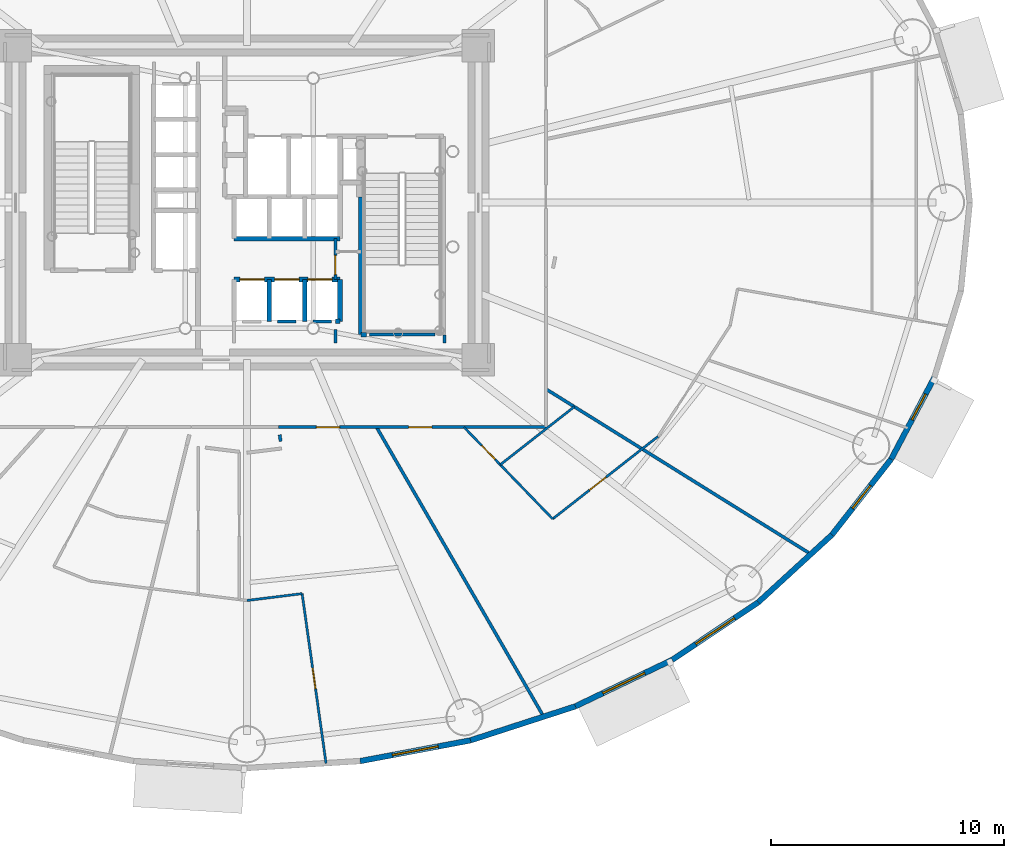
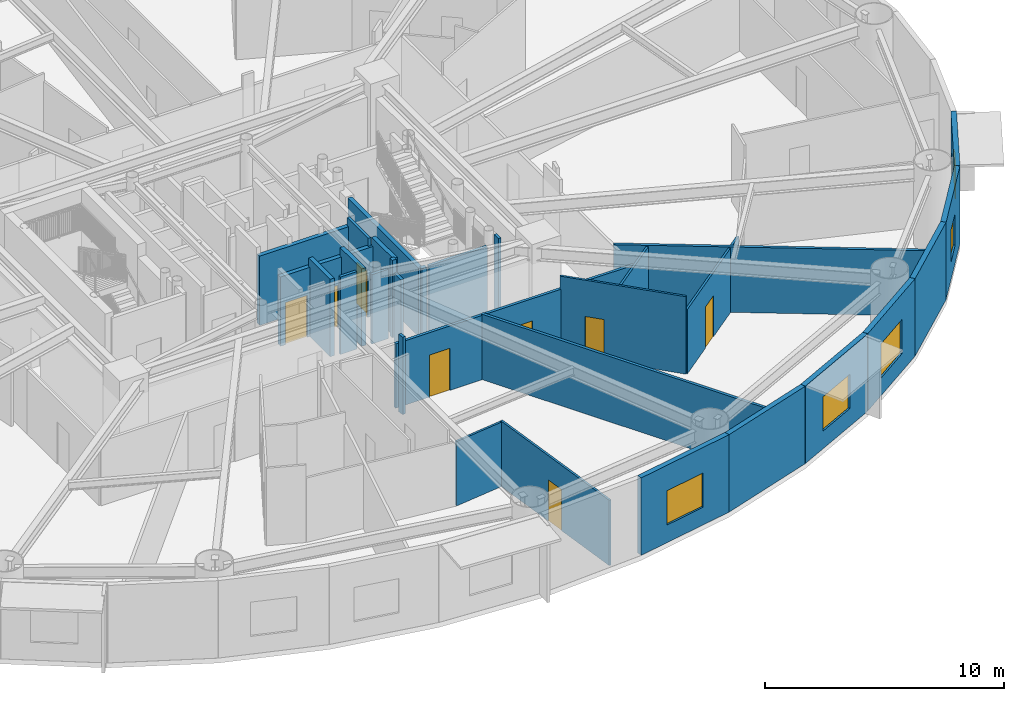
# One storey, part 10 of 21: 30 walls, 9 doors, 5 windows, 14 openings.
"""IFC4 building model written with IfcOpenShell, lengths in metres."""

from ifc_helpers import new_model, si_unit, direction, frame, frame_2d, origin, origin_2d, place, context, subcontext, project, spatial, rectangle, extrude, source, transform, mapped, material, layer, layer_set, type_object, element, fill, save


model = new_model("IFC4")

# Units and contexts
model_context = context("Model", 3, precision=1e-05, world=origin(), true_north=direction((0.0, 1.0)))
body_context = subcontext(model_context, "Body", "Model", "MODEL_VIEW")
ifc_project = project(units=[si_unit("LENGTHUNIT", "METRE"), si_unit("AREAUNIT", "SQUARE_METRE"), si_unit("VOLUMEUNIT", "CUBIC_METRE"), si_unit("PLANEANGLEUNIT", "RADIAN"), si_unit("MASSUNIT", "GRAM", prefix="KILO")], contexts=[model_context])

# Site, building, storey
site_placement = place(None, origin())
site = spatial("IfcSite", under=ifc_project, at=site_placement, CompositionType="ELEMENT")
building_placement = place(site_placement, origin())
building = spatial("IfcBuilding", under=site, at=building_placement, Name="Linh Dai School and Residence Tower", CompositionType="ELEMENT")
storey_placement = place(building_placement, frame((0.0, 0.0, 61.800048828125)))
storey = spatial("IfcBuildingStorey", under=building, at=storey_placement, Name="L14", CompositionType="ELEMENT", Elevation=61.800048828125)

# Wall, opening, window
ifc_material_1 = material(Name="Precast Concrete B45 (C35/45)", Category="concrete")
ifc_layer_1 = layer(ifc_material_1, 0.239990234375)
ifc_layer_set_1 = layer_set([ifc_layer_1], Name="Precast Concrete B45 (C35/45)")
wall_type_1 = type_object("IfcWallType", Name="EW-TC-240", PredefinedType="SOLIDWALL", material=ifc_layer_set_1)
wall_1_placement = place(storey_placement, frame((45.610595703125, 3.88671875, 0.0), z_axis=(0.0, 0.0, 1.0), x_axis=(-0.982791952378, -0.184715939598, 0.0)))
wall_1 = element("IfcWall", 1, at=wall_1_placement, inside=storey, type_object=wall_type_1, Name="L14 Terracotta Exterior Wall 32", PredefinedType="SOLIDWALL", context=body_context, shape_type="SweptSolid", body=[
    extrude(rectangle(XDim=4.828125, YDim=0.239990234375, at=frame_2d((2.4140625, 0.0))), origin(), (0.0, 0.0, 1.0), 3.949951171875),
])
opening_1_placement = place(wall_1_placement, frame((1.414306640625, 0.0, 0.89990234375)))
opening_1 = element("IfcOpeningElement", 2, at=opening_1_placement, cuts=wall_1, Name="Opening W1", PredefinedType="OPENING", context=body_context, shape_type="SweptSolid", body=[
    extrude(rectangle(XDim=2.0, YDim=1.75, at=origin_2d()), frame((1.0, 0.1298828125, 0.875), z_axis=(0.0, -1.0, 0.0), x_axis=(1.0, 0.0, 0.0)), (0.0, 0.0, 1.0), 0.260009765625),
])
ifc_material_2 = material(Name="Double Low-E Insulated Glazing", Category="glass")
window_type_1 = type_object("IfcWindowType", Name="WN-RES-2000x1750", PartitioningType="DOUBLE_PANEL_VERTICAL", PredefinedType="WINDOW", material=ifc_material_2)
shared_shape_1 = source(origin(), body_context, "Body", "SweptSolid", [
    extrude(rectangle(XDim=2.0, YDim=1.75, at=origin_2d()), frame((1.0, 0.030029296875, 0.875), z_axis=(0.0, -1.0, 0.0), x_axis=(1.0, 0.0, 0.0)), (0.0, 0.0, 1.0), 0.06005859375),
])
window_1_placement = place(opening_1_placement, origin())
window_1 = element("IfcWindow", 3, at=window_1_placement, inside=storey, type_object=window_type_1, Name="L14 Exterior Window 32.1", OverallHeight=1.75, OverallWidth=2.0, PartitioningType="DOUBLE_PANEL_VERTICAL", PredefinedType="WINDOW", context=body_context, shape_type="MappedRepresentation", body=[
    mapped(shared_shape_1, transform((0.0, 0.0, 0.0), x_axis=(1.0, 0.0, 0.0), y_axis=(0.0, 1.0, 0.0), z_axis=(0.0, 0.0, 1.0), scale=1.0)),
])
fill(opening_1, window_1)

# Wall
wall_2_placement = place(storey_placement, frame((50.1181640625, 5.348876953125, 0.0), z_axis=(0.0, 0.0, 1.0), x_axis=(-0.951207699013, -0.308551313946, 0.0)))
element("IfcWall", 4, at=wall_2_placement, inside=storey, type_object=wall_type_1, Name="L14 Terracotta Exterior Wall 33", PredefinedType="SOLIDWALL", context=body_context, shape_type="SweptSolid", body=[
    extrude(rectangle(XDim=4.73876953125, YDim=0.239990234375, at=frame_2d((2.369384765625, 0.0))), origin(), (0.0, 0.0, 1.0), 3.949951171875),
])

# Wall, opening, window
wall_3_placement = place(storey_placement, frame((54.277099609375, 7.34423828125, 0.0), z_axis=(0.0, 0.0, 1.0), x_axis=(-0.901601503137, -0.432567601123, 0.0)))
wall_3 = element("IfcWall", 5, at=wall_3_placement, inside=storey, type_object=wall_type_1, Name="L14 Terracotta Exterior Wall 34", PredefinedType="SOLIDWALL", context=body_context, shape_type="SweptSolid", body=[
    extrude(rectangle(XDim=4.61279296875, YDim=0.239990234375, at=frame_2d((2.306396484375, 0.0))), origin(), (0.0, 0.0, 1.0), 3.949951171875),
])
opening_2_placement = place(wall_3_placement, frame((1.306640625, 0.0, 0.89990234375)))
opening_2 = element("IfcOpeningElement", 6, at=opening_2_placement, cuts=wall_3, Name="Opening W1", PredefinedType="OPENING", context=body_context, shape_type="SweptSolid", body=[
    extrude(rectangle(XDim=2.0, YDim=1.75, at=origin_2d()), frame((1.0, 0.1298828125, 0.875), z_axis=(0.0, -1.0, 0.0), x_axis=(1.0, 0.0, 0.0)), (0.0, 0.0, 1.0), 0.260009765625),
])
window_2_placement = place(opening_2_placement, origin())
window_2 = element("IfcWindow", 7, at=window_2_placement, inside=storey, type_object=window_type_1, Name="L14 Exterior Window 34.1", OverallHeight=1.75, OverallWidth=2.0, PartitioningType="DOUBLE_PANEL_VERTICAL", PredefinedType="WINDOW", context=body_context, shape_type="MappedRepresentation", body=[
    mapped(shared_shape_1, transform((0.0, 0.0, 0.0), x_axis=(1.0, 0.0, 0.0), y_axis=(0.0, 1.0, 0.0), z_axis=(0.0, 0.0, 1.0), scale=1.0)),
])
fill(opening_2, window_2)

wall_4_placement = place(storey_placement, frame((57.984619140625, 9.82373046875, 0.0), z_axis=(0.0, 0.0, 1.0), x_axis=(-0.831240982525, -0.555912249343, 0.0)))
wall_4 = element("IfcWall", 8, at=wall_4_placement, inside=storey, type_object=wall_type_1, Name="L14 Terracotta Exterior Wall 35", PredefinedType="SOLIDWALL", context=body_context, shape_type="SweptSolid", body=[
    extrude(rectangle(XDim=4.460205078125, YDim=0.239990234375, at=frame_2d((2.22998046875, 0.0))), origin(), (0.0, 0.0, 1.0), 3.949951171875),
])
opening_3_placement = place(wall_4_placement, frame((1.230224609375, 0.0, 0.89990234375)))
opening_3 = element("IfcOpeningElement", 9, at=opening_3_placement, cuts=wall_4, Name="Opening W1", PredefinedType="OPENING", context=body_context, shape_type="SweptSolid", body=[
    extrude(rectangle(XDim=2.0, YDim=1.75, at=origin_2d()), frame((1.0, 0.1298828125, 0.875), z_axis=(0.0, -1.0, 0.0), x_axis=(1.0, 0.0, 0.0)), (0.0, 0.0, 1.0), 0.260009765625),
])
window_3_placement = place(opening_3_placement, origin())
window_3 = element("IfcWindow", 10, at=window_3_placement, inside=storey, type_object=window_type_1, Name="L14 Exterior Window 35.1", OverallHeight=1.75, OverallWidth=2.0, PartitioningType="DOUBLE_PANEL_VERTICAL", PredefinedType="WINDOW", context=body_context, shape_type="MappedRepresentation", body=[
    mapped(shared_shape_1, transform((0.0, 0.0, 0.0), x_axis=(1.0, 0.0, 0.0), y_axis=(0.0, 1.0, 0.0), z_axis=(0.0, 0.0, 1.0), scale=1.0)),
])
fill(opening_3, window_3)

# Wall
wall_5_placement = place(storey_placement, frame((61.149658203125, 12.725341796875, 0.0), z_axis=(0.0, 0.0, 1.0), x_axis=(-0.737116376281, -0.67576582321, 0.0)))
element("IfcWall", 11, at=wall_5_placement, inside=storey, type_object=wall_type_1, Name="L14 Terracotta Exterior Wall 36", PredefinedType="SOLIDWALL", context=body_context, shape_type="SweptSolid", body=[
    extrude(rectangle(XDim=4.293701171875, YDim=0.239990234375, at=frame_2d((2.14697265625, 0.0))), origin(), (0.0, 0.0, 1.0), 3.949951171875),
])

# Wall, opening, window
wall_6_placement = place(storey_placement, frame((63.694580078125, 15.977294921875, 0.0), z_axis=(0.0, 0.0, 1.0), x_axis=(-0.616295508253, -0.787514981767, 0.0)))
wall_6 = element("IfcWall", 12, at=wall_6_placement, inside=storey, type_object=wall_type_1, Name="L14 Terracotta Exterior Wall 37", PredefinedType="SOLIDWALL", context=body_context, shape_type="SweptSolid", body=[
    extrude(rectangle(XDim=4.12939453125, YDim=0.239990234375, at=frame_2d((2.064697265625, 0.0))), origin(), (0.0, 0.0, 1.0), 3.949951171875),
])
opening_4_placement = place(wall_6_placement, frame((1.439697265625, 0.0, 0.89990234375)))
opening_4 = element("IfcOpeningElement", 13, at=opening_4_placement, cuts=wall_6, Name="Opening W3", PredefinedType="OPENING", context=body_context, shape_type="SweptSolid", body=[
    extrude(rectangle(XDim=1.25, YDim=1.64990234375, at=origin_2d()), frame((0.625, 0.1298828125, 0.824951171875), z_axis=(0.0, -1.0, 0.0), x_axis=(1.0, 0.0, 0.0)), (0.0, 0.0, 1.0), 0.260009765625),
])
window_type_2 = type_object("IfcWindowType", Name="WN-RES-1250x1650", PartitioningType="SINGLE_PANEL", PredefinedType="WINDOW", material=ifc_material_2)
shared_shape_2 = source(origin(), body_context, "Body", "SweptSolid", [
    extrude(rectangle(XDim=1.25, YDim=1.64990234375, at=origin_2d()), frame((0.625, 0.030029296875, 0.824951171875), z_axis=(0.0, -1.0, 0.0), x_axis=(1.0, 0.0, 0.0)), (0.0, 0.0, 1.0), 0.06005859375),
])
window_4_placement = place(opening_4_placement, origin())
window_4 = element("IfcWindow", 14, at=window_4_placement, inside=storey, type_object=window_type_2, Name="L14 Dwelling Window U1410-BD1", OverallHeight=1.64990234375, OverallWidth=1.25, PartitioningType="SINGLE_PANEL", PredefinedType="WINDOW", context=body_context, shape_type="MappedRepresentation", body=[
    mapped(shared_shape_2, transform((0.0, 0.0, 0.0), x_axis=(1.0, 0.0, 0.0), y_axis=(0.0, 1.0, 0.0), z_axis=(0.0, 0.0, 1.0), scale=1.0)),
])
fill(opening_4, window_4)

wall_7_placement = place(storey_placement, frame((65.5576171875, 19.49853515625, 0.0), z_axis=(0.0, 0.0, 1.0), x_axis=(-0.467662443071, -0.883907144072, 0.0)))
wall_7 = element("IfcWall", 15, at=wall_7_placement, inside=storey, type_object=wall_type_1, Name="L14 Terracotta Exterior Wall 38", PredefinedType="SOLIDWALL", context=body_context, shape_type="SweptSolid", body=[
    extrude(rectangle(XDim=3.983642578125, YDim=0.239990234375, at=frame_2d((1.99169921875, 0.0))), origin(), (0.0, 0.0, 1.0), 3.949951171875),
])
opening_5_placement = place(wall_7_placement, frame((0.8173828125, 0.0, 0.89990234375)))
opening_5 = element("IfcOpeningElement", 16, at=opening_5_placement, cuts=wall_7, Name="Opening W3", PredefinedType="OPENING", context=body_context, shape_type="SweptSolid", body=[
    extrude(rectangle(XDim=1.25, YDim=1.64990234375, at=origin_2d()), frame((0.625, 0.1298828125, 0.824951171875), z_axis=(0.0, -1.0, 0.0), x_axis=(1.0, 0.0, 0.0)), (0.0, 0.0, 1.0), 0.260009765625),
])
window_5_placement = place(opening_5_placement, origin())
window_5 = element("IfcWindow", 17, at=window_5_placement, inside=storey, type_object=window_type_2, Name="L14 Exterior Window 38.1", OverallHeight=1.64990234375, OverallWidth=1.25, PartitioningType="SINGLE_PANEL", PredefinedType="WINDOW", context=body_context, shape_type="MappedRepresentation", body=[
    mapped(shared_shape_2, transform((0.0, 0.0, 0.0), x_axis=(1.0, 0.0, 0.0), y_axis=(0.0, 1.0, 0.0), z_axis=(0.0, 0.0, 1.0), scale=1.0)),
])
fill(opening_5, window_5)

# Wall, openings, doors
ifc_material_3 = material(Name="Autoclaved Aerated Concrete Blockwork", Category="masonry")
ifc_layer_2 = layer(ifc_material_3, 0.135009765625)
ifc_layer_set_2 = layer_set([ifc_layer_2], Name="Autoclaved Aerated Concrete Blockwork")
wall_type_2 = type_object("IfcWallType", Name="IW-CORR-135-EI90", PredefinedType="PARTITIONING", material=ifc_layer_set_2)
wall_8_placement = place(storey_placement, frame((37.362060546875, 17.35009765625, 0.0), z_axis=(0.0, 0.0, 1.0), x_axis=(1.0, 0.0, 0.0)))
wall_8 = element("IfcWall", 18, at=wall_8_placement, inside=storey, type_object=wall_type_2, Name="L14 Interior Partition Wall 063", PredefinedType="PARTITIONING", context=body_context, shape_type="SweptSolid", body=[
    extrude(rectangle(XDim=11.488037109375, YDim=0.135009765625, at=frame_2d((5.744140625, 0.0))), origin(), (0.0, 0.0, 1.0), 3.284912109375),
])
opening_6_placement = place(wall_8_placement, frame((1.624755859375, 0.0, 0.0)))
opening_6 = element("IfcOpeningElement", 19, at=opening_6_placement, cuts=wall_8, Name="Opening D03", PredefinedType="OPENING", context=body_context, shape_type="SweptSolid", body=[
    extrude(rectangle(XDim=1.0, YDim=2.14990234375, at=origin_2d()), frame((0.5, 0.07763671875, 1.074951171875), z_axis=(0.0, -1.0, 0.0), x_axis=(1.0, 0.0, 0.0)), (0.0, 0.0, 1.0), 0.155029296875),
])
opening_7_placement = place(wall_8_placement, frame((5.588623046875, 0.0, 0.0)))
opening_7 = element("IfcOpeningElement", 20, at=opening_7_placement, cuts=wall_8, Name="Opening D03", PredefinedType="OPENING", context=body_context, shape_type="SweptSolid", body=[
    extrude(rectangle(XDim=1.0, YDim=2.14990234375, at=origin_2d()), frame((0.5, 0.07763671875, 1.074951171875), z_axis=(0.0, -1.0, 0.0), x_axis=(1.0, 0.0, 0.0)), (0.0, 0.0, 1.0), 0.155029296875),
])
ifc_material_4 = material(Name="Fire-Rated Solid Timber Entrance Door", Category="wood")
door_type_1 = type_object("IfcDoorType", Name="DR-FLAT-1000x2150-FD60S", OperationType="NOTDEFINED", PredefinedType="DOOR", material=ifc_material_4)
shared_shape_3 = source(origin(), body_context, "Body", "SweptSolid", [
    extrude(rectangle(XDim=1.0, YDim=2.14990234375, at=origin_2d()), frame((0.5, 0.02490234375, 1.074951171875), z_axis=(0.0, -1.0, 0.0), x_axis=(1.0, 0.0, 0.0)), (0.0, 0.0, 1.0), 0.050048828125),
])
door_1_placement = place(opening_6_placement, origin())
door_1 = element("IfcDoor", 21, at=door_1_placement, inside=storey, type_object=door_type_1, Name="L14 U1408 Apartment Entrance Door", OperationType="SINGLE_SWING_RIGHT", OverallHeight=2.14990234375, OverallWidth=1.0, PredefinedType="DOOR", context=body_context, shape_type="MappedRepresentation", body=[
    mapped(shared_shape_3, transform((0.0, 0.0, 0.0), x_axis=(1.0, 0.0, 0.0), y_axis=(0.0, 1.0, 0.0), z_axis=(0.0, 0.0, 1.0), scale=1.0)),
])
fill(opening_6, door_1)
door_2_placement = place(opening_7_placement, origin())
door_2 = element("IfcDoor", 22, at=door_2_placement, inside=storey, type_object=door_type_1, Name="L14 U1409 Apartment Entrance Door", OperationType="SINGLE_SWING_RIGHT", OverallHeight=2.14990234375, OverallWidth=1.0, PredefinedType="DOOR", context=body_context, shape_type="MappedRepresentation", body=[
    mapped(shared_shape_3, transform((0.0, 0.0, 0.0), x_axis=(1.0, 0.0, 0.0), y_axis=(0.0, 1.0, 0.0), z_axis=(0.0, 0.0, 1.0), scale=1.0)),
])
fill(opening_7, door_2)

# Wall, opening, door
wall_9_placement = place(storey_placement, frame((39.800048828125, 23.699951171875, 0.0), z_axis=(0.0, 0.0, 1.0), x_axis=(0.0, 1.0, 0.0)))
wall_9 = element("IfcWall", 23, at=wall_9_placement, inside=storey, type_object=wall_type_2, Name="L14 Interior Partition Wall 070", PredefinedType="PARTITIONING", context=body_context, shape_type="SweptSolid", body=[
    extrude(rectangle(XDim=1.75, YDim=0.135009765625, at=frame_2d((0.875, 0.0))), origin(), (0.0, 0.0, 1.0), 3.949951171875),
])
opening_8_placement = place(wall_9_placement, frame((0.2099609375, 0.0, 0.0)))
opening_8 = element("IfcOpeningElement", 24, at=opening_8_placement, cuts=wall_9, Name="Opening D06", PredefinedType="OPENING", context=body_context, shape_type="SweptSolid", body=[
    extrude(rectangle(XDim=0.820068359375, YDim=2.10009765625, at=origin_2d()), frame((0.41015625, 0.07763671875, 1.050048828125), z_axis=(0.0, -1.0, 0.0), x_axis=(1.0, 0.0, 0.0)), (0.0, 0.0, 1.0), 0.155029296875),
])
ifc_material_5 = material(Name="Moisture-Resistant Timber Bathroom Door", Category="wood")
door_type_2 = type_object("IfcDoorType", Name="DR-WET-820x2100", OperationType="NOTDEFINED", PredefinedType="DOOR", material=ifc_material_5)
shared_shape_4 = source(origin(), body_context, "Body", "SweptSolid", [
    extrude(rectangle(XDim=0.820068359375, YDim=2.10009765625, at=origin_2d()), frame((0.41015625, 0.02490234375, 1.050048828125), z_axis=(0.0, -1.0, 0.0), x_axis=(1.0, 0.0, 0.0)), (0.0, 0.0, 1.0), 0.050048828125),
])
door_3_placement = place(opening_8_placement, origin())
door_3 = element("IfcDoor", 25, at=door_3_placement, inside=storey, type_object=door_type_2, Name="L14 SE Metering Closet Door", OperationType="SINGLE_SWING_RIGHT", OverallHeight=2.10009765625, OverallWidth=0.820068359375, PredefinedType="DOOR", context=body_context, shape_type="MappedRepresentation", body=[
    mapped(shared_shape_4, transform((0.0, 0.0, 0.0), x_axis=(1.0, 0.0, 0.0), y_axis=(0.0, 1.0, 0.0), z_axis=(0.0, 0.0, 1.0), scale=1.0)),
])
fill(opening_8, door_3)

# Walls
wall_10_placement = place(storey_placement, frame((41.571533203125, 17.35009765625, 0.0), z_axis=(0.0, 0.0, 1.0), x_axis=(0.499990052844, -0.866031146701, 0.0)))
element("IfcWall", 26, at=wall_10_placement, inside=storey, type_object=wall_type_2, Name="L14 Interior Partition Wall 078", PredefinedType="PARTITIONING", context=body_context, shape_type="SweptSolid", body=[
    extrude(rectangle(XDim=14.373291015625, YDim=0.135009765625, at=frame_2d((7.1865234375, 0.0))), origin(), (0.0, 0.0, 1.0), 3.3349609375),
])
wall_11_placement = place(storey_placement, frame((48.85009765625, 18.991455078125, 0.0), z_axis=(0.0, 0.0, 1.0), x_axis=(0.848674864049, -0.528914903488, 0.0)))
element("IfcWall", 27, at=wall_11_placement, inside=storey, type_object=wall_type_2, Name="L14 Interior Partition Wall 091", PredefinedType="PARTITIONING", context=body_context, shape_type="SweptSolid", body=[
    extrude(rectangle(XDim=13.42724609375, YDim=0.135009765625, at=frame_2d((6.713623046875, 0.0))), origin(), (0.0, 0.0, 1.0), 3.3349609375),
])
wall_12_placement = place(storey_placement, frame((44.080078125, 21.330078125, 0.0), z_axis=(0.0, 0.0, 1.0), x_axis=(-1.0, 0.0, 0.0)))
element("IfcWall", 28, at=wall_12_placement, inside=storey, type_object=wall_type_2, Name="L14 Interior Partition Wall 104", PredefinedType="PARTITIONING", context=body_context, shape_type="SweptSolid", body=[
    extrude(rectangle(XDim=2.820068359375, YDim=0.135009765625, at=frame_2d((1.41015625, 0.0))), origin(), (0.0, 0.0, 1.0), 3.48486328125),
])
wall_13_placement = place(storey_placement, frame((38.1201171875, 21.89990234375, 0.0), z_axis=(0.0, 0.0, 1.0), x_axis=(-1.0, 0.0, 0.0)))
element("IfcWall", 29, at=wall_13_placement, inside=storey, type_object=wall_type_2, Name="L14 Interior Partition Wall 106", PredefinedType="PARTITIONING", context=body_context, shape_type="SweptSolid", body=[
    extrude(rectangle(XDim=0.800048828125, YDim=0.135009765625, at=frame_2d((0.39990234375, 0.0))), origin(), (0.0, 0.0, 1.0), 3.949951171875),
])
wall_14_placement = place(storey_placement, frame((39.639892578125, 21.89990234375, 0.0), z_axis=(0.0, 0.0, 1.0), x_axis=(-1.0, 0.0, 0.0)))
element("IfcWall", 30, at=wall_14_placement, inside=storey, type_object=wall_type_2, Name="L14 Interior Partition Wall 107", PredefinedType="PARTITIONING", context=body_context, shape_type="SweptSolid", body=[
    extrude(rectangle(XDim=0.7998046875, YDim=0.135009765625, at=frame_2d((0.39990234375, 0.0))), origin(), (0.0, 0.0, 1.0), 3.534912109375),
])
wall_15_placement = place(storey_placement, frame((39.800048828125, 20.9599609375, 0.0), z_axis=(0.0, 0.0, 1.0), x_axis=(0.0, 1.0, 0.0)))
element("IfcWall", 31, at=wall_15_placement, inside=storey, type_object=wall_type_2, Name="L14 Interior Partition Wall 109", PredefinedType="PARTITIONING", context=body_context, shape_type="SweptSolid", body=[
    extrude(rectangle(XDim=0.580078125, YDim=0.135009765625, at=frame_2d((0.2900390625, 0.0))), origin(), (0.0, 0.0, 1.0), 3.48486328125),
])
wall_16_placement = place(storey_placement, frame((44.5, 20.9599609375, 0.0), z_axis=(0.0, 0.0, 1.0), x_axis=(0.0, 1.0, 0.0)))
element("IfcWall", 32, at=wall_16_placement, inside=storey, type_object=wall_type_2, Name="L14 Interior Partition Wall 111", PredefinedType="PARTITIONING", context=body_context, shape_type="SweptSolid", body=[
    extrude(rectangle(XDim=0.360107421875, YDim=0.135009765625, at=frame_2d((0.18017578125, 0.0))), origin(), (0.0, 0.0, 1.0), 3.949951171875),
])
wall_17_placement = place(storey_placement, frame((37.447998046875, 16.740234375, 0.0), z_axis=(0.0, 0.0, 1.0), x_axis=(-0.139622307759, 0.990204832939, 0.0)))
element("IfcWall", 33, at=wall_17_placement, inside=storey, type_object=wall_type_2, Name="L14 Interior Partition Wall 133", PredefinedType="PARTITIONING", context=body_context, shape_type="SweptSolid", body=[
    extrude(rectangle(XDim=0.284912109375, YDim=0.135009765625, at=frame_2d((0.142578125, 0.0))), origin(), (0.0, 0.0, 1.0), 3.949951171875),
])

# Wall, openings, doors
ifc_material_6 = material(Name="Concrete B45 (C35/45)", Category="concrete")
ifc_layer_3 = layer(ifc_material_6, 0.199951171875)
ifc_layer_set_3 = layer_set([ifc_layer_3], Name="Concrete B45 (C35/45)")
wall_type_3 = type_object("IfcWallType", Name="IW-SHAFT-200-EI120", PredefinedType="PARTITIONING", material=ifc_layer_set_3)
wall_18_placement = place(storey_placement, frame((35.449951171875, 23.699951171875, 0.0), z_axis=(0.0, 0.0, 1.0), x_axis=(1.0, 0.0, 0.0)))
wall_18 = element("IfcWall", 34, at=wall_18_placement, inside=storey, type_object=wall_type_3, Name="L14 Interior Partition Wall 053", PredefinedType="PARTITIONING", context=body_context, shape_type="SweptSolid", body=[
    extrude(rectangle(XDim=4.550048828125, YDim=0.199951171875, at=frame_2d((2.27490234375, 0.0))), origin(), (0.0, 0.0, 1.0), 3.534912109375),
])
opening_9_placement = place(wall_18_placement, frame((0.25, 0.0, 0.0)))
opening_9 = element("IfcOpeningElement", 35, at=opening_9_placement, cuts=wall_18, Name="Opening LD-PL1", PredefinedType="OPENING", context=body_context, shape_type="SweptSolid", body=[
    extrude(rectangle(XDim=1.050048828125, YDim=2.14990234375, at=origin_2d()), frame((0.52490234375, 0.10986328125, 1.074951171875), z_axis=(0.0, -1.0, 0.0), x_axis=(1.0, 0.0, 0.0)), (0.0, 0.0, 1.0), 0.219970703125),
])
opening_10_placement = place(wall_18_placement, frame((1.7451171875, 0.0, 0.0)))
opening_10 = element("IfcOpeningElement", 36, at=opening_10_placement, cuts=wall_18, Name="Opening LD-PL2", PredefinedType="OPENING", context=body_context, shape_type="SweptSolid", body=[
    extrude(rectangle(XDim=1.050048828125, YDim=2.14990234375, at=origin_2d()), frame((0.52490234375, 0.10986328125, 1.074951171875), z_axis=(0.0, -1.0, 0.0), x_axis=(1.0, 0.0, 0.0)), (0.0, 0.0, 1.0), 0.219970703125),
])
opening_11_placement = place(wall_18_placement, frame((3.1650390625, 0.0, 0.0)))
opening_11 = element("IfcOpeningElement", 37, at=opening_11_placement, cuts=wall_18, Name="Opening LD-PL3", PredefinedType="OPENING", context=body_context, shape_type="SweptSolid", body=[
    extrude(rectangle(XDim=1.050048828125, YDim=2.14990234375, at=origin_2d()), frame((0.52490234375, 0.10986328125, 1.074951171875), z_axis=(0.0, -1.0, 0.0), x_axis=(1.0, 0.0, 0.0)), (0.0, 0.0, 1.0), 0.219970703125),
])
ifc_material_7 = material(Name="Brushed Stainless Steel Lift Landing Door", Category="steel")
door_type_3 = type_object("IfcDoorType", Name="DR-LD-PASS-1050x2150", OperationType="DOUBLE_DOOR_SLIDING", PredefinedType="USERDEFINED", material=ifc_material_7)
shared_shape_5 = source(origin(), body_context, "Body", "SweptSolid", [
    extrude(rectangle(XDim=1.050048828125, YDim=2.14990234375, at=origin_2d()), frame((0.52490234375, 0.02490234375, 1.074951171875), z_axis=(0.0, -1.0, 0.0), x_axis=(1.0, 0.0, 0.0)), (0.0, 0.0, 1.0), 0.050048828125),
])
door_4_placement = place(opening_9_placement, origin())
door_4 = element("IfcDoor", 38, at=door_4_placement, inside=storey, type_object=door_type_3, Name="L14 Lift PL1 Sliding Landing Door", ObjectType="LANDING DOOR", OperationType="DOUBLE_DOOR_SLIDING", OverallHeight=2.14990234375, OverallWidth=1.050048828125, PredefinedType="USERDEFINED", context=body_context, shape_type="MappedRepresentation", body=[
    mapped(shared_shape_5, transform((0.0, 0.0, 0.0), x_axis=(1.0, 0.0, 0.0), y_axis=(0.0, 1.0, 0.0), z_axis=(0.0, 0.0, 1.0), scale=1.0)),
])
fill(opening_9, door_4)
door_5_placement = place(opening_10_placement, origin())
door_5 = element("IfcDoor", 39, at=door_5_placement, inside=storey, type_object=door_type_3, Name="L14 Lift PL2 Sliding Landing Door", ObjectType="LANDING DOOR", OperationType="DOUBLE_DOOR_SLIDING", OverallHeight=2.14990234375, OverallWidth=1.050048828125, PredefinedType="USERDEFINED", context=body_context, shape_type="MappedRepresentation", body=[
    mapped(shared_shape_5, transform((0.0, 0.0, 0.0), x_axis=(1.0, 0.0, 0.0), y_axis=(0.0, 1.0, 0.0), z_axis=(0.0, 0.0, 1.0), scale=1.0)),
])
fill(opening_10, door_5)
door_6_placement = place(opening_11_placement, origin())
door_6 = element("IfcDoor", 40, at=door_6_placement, inside=storey, type_object=door_type_3, Name="L14 Lift PL3 Sliding Landing Door", ObjectType="LANDING DOOR", OperationType="DOUBLE_DOOR_SLIDING", OverallHeight=2.14990234375, OverallWidth=1.050048828125, PredefinedType="USERDEFINED", context=body_context, shape_type="MappedRepresentation", body=[
    mapped(shared_shape_5, transform((0.0, 0.0, 0.0), x_axis=(1.0, 0.0, 0.0), y_axis=(0.0, 1.0, 0.0), z_axis=(0.0, 0.0, 1.0), scale=1.0)),
])
fill(opening_11, door_6)

# Walls
wall_19_placement = place(storey_placement, frame((35.449951171875, 25.449951171875, 0.0), z_axis=(0.0, 0.0, 1.0), x_axis=(1.0, 0.0, 0.0)))
element("IfcWall", 41, at=wall_19_placement, inside=storey, type_object=wall_type_3, Name="L14 Interior Partition Wall 055", PredefinedType="PARTITIONING", context=body_context, shape_type="SweptSolid", body=[
    extrude(rectangle(XDim=4.550048828125, YDim=0.199951171875, at=frame_2d((2.27490234375, 0.0))), origin(), (0.0, 0.0, 1.0), 3.534912109375),
])
for number, where, z_axis, x_axis, name in (
    (42, (36.9599609375, 21.89990234375, 0.0), (0.0, 0.0, 1.0), (0.0, 1.0, 0.0), "L14 Interior Partition Wall 060"),
    (43, (38.47998046875, 21.89990234375, 0.0), (0.0, 0.0, 1.0), (0.0, 1.0, 0.0), "L14 Interior Partition Wall 066"),
):
    element("IfcWall", number, at=place(storey_placement, frame(where, z_axis=z_axis, x_axis=x_axis)), inside=storey, type_object=wall_type_3, Name=name, PredefinedType="PARTITIONING", context=body_context, shape_type="SweptSolid", body=[
        extrude(rectangle(XDim=1.800048828125, YDim=0.199951171875, at=frame_2d((0.89990234375, 0.0))), origin(), (0.0, 0.0, 1.0), 3.949951171875),
    ])
wall_20_placement = place(storey_placement, frame((39.800048828125, 21.89990234375, 0.0), z_axis=(0.0, 0.0, 1.0), x_axis=(1.0, 0.0, 0.0)))
element("IfcWall", 44, at=wall_20_placement, inside=storey, type_object=wall_type_3, Name="L14 Interior Partition Wall 069", PredefinedType="PARTITIONING", context=body_context, shape_type="SweptSolid", body=[
    extrude(rectangle(XDim=0.199951171875, YDim=0.199951171875, at=frame_2d((0.10009765625, 0.0))), origin(), (0.0, 0.0, 1.0), 3.949951171875),
])
wall_21_placement = place(storey_placement, frame((40.0, 21.89990234375, 0.0), z_axis=(0.0, 0.0, 1.0), x_axis=(0.0, 1.0, 0.0)))
element("IfcWall", 45, at=wall_21_placement, inside=storey, type_object=wall_type_3, Name="L14 Interior Partition Wall 072", PredefinedType="PARTITIONING", context=body_context, shape_type="SweptSolid", body=[
    extrude(rectangle(XDim=1.800048828125, YDim=0.199951171875, at=frame_2d((0.89990234375, 0.0))), origin(), (0.0, 0.0, 1.0), 3.949951171875),
])
wall_22_placement = place(storey_placement, frame((40.89990234375, 21.330078125, 0.0), z_axis=(0.0, 0.0, 1.0), x_axis=(0.0, 1.0, 0.0)))
element("IfcWall", 46, at=wall_22_placement, inside=storey, type_object=wall_type_3, Name="L14 Interior Partition Wall 076", PredefinedType="PARTITIONING", context=body_context, shape_type="SweptSolid", body=[
    extrude(rectangle(XDim=5.909912109375, YDim=0.199951171875, at=frame_2d((2.955078125, 0.0))), origin(), (0.0, 0.0, 1.0), 3.48486328125),
])
wall_23_placement = place(storey_placement, frame((40.89990234375, 21.330078125, 0.0), z_axis=(0.0, 0.0, 1.0), x_axis=(1.0, 0.0, 0.0)))
element("IfcWall", 47, at=wall_23_placement, inside=storey, type_object=wall_type_3, Name="L14 Interior Partition Wall 077", PredefinedType="PARTITIONING", context=body_context, shape_type="SweptSolid", body=[
    extrude(rectangle(XDim=0.25, YDim=0.199951171875, at=frame_2d((0.125, 0.0))), origin(), (0.0, 0.0, 1.0), 3.48486328125),
])
ifc_material_8 = material(Name="Gypsum Plasterboard Acoustic Stud Partition", Category="masonry")
ifc_layer_4 = layer(ifc_material_8, 0.10009765625)
ifc_layer_set_4 = layer_set([ifc_layer_4], Name="Gypsum Plasterboard Acoustic Stud Partition")
wall_type_4 = type_object("IfcWallType", Name="IW-UNIT-100", PredefinedType="PARTITIONING", material=ifc_layer_set_4)
wall_24_placement = place(storey_placement, frame((36.0, 9.89892578125, 0.0), z_axis=(0.0, 0.0, 1.0), x_axis=(0.992396842546, 0.123079270818, 0.0)))
element("IfcWall", 48, at=wall_24_placement, inside=storey, type_object=wall_type_4, Name="L14 Interior Partition Wall 059", PredefinedType="PARTITIONING", context=body_context, shape_type="SweptSolid", body=[
    extrude(rectangle(XDim=2.39013671875, YDim=0.10009765625, at=frame_2d((1.195068359375, 0.0))), origin(), (0.0, 0.0, 1.0), 3.284912109375),
])

# Wall, opening, door
wall_25_placement = place(storey_placement, frame((38.3720703125, 10.193115234375, 0.0), z_axis=(0.0, 0.0, 1.0), x_axis=(0.139773837757, -0.99018345486, 0.0)))
wall_25 = element("IfcWall", 49, at=wall_25_placement, inside=storey, type_object=wall_type_4, Name="L14 Interior Partition Wall 065", PredefinedType="PARTITIONING", context=body_context, shape_type="SweptSolid", body=[
    extrude(rectangle(XDim=7.36572265625, YDim=0.10009765625, at=frame_2d((3.682861328125, 0.0))), origin(), (0.0, 0.0, 1.0), 3.3349609375),
])
opening_12_placement = place(wall_25_placement, frame((3.23291015625, 0.0, 0.0)))
opening_12 = element("IfcOpeningElement", 50, at=opening_12_placement, cuts=wall_25, Name="Opening D05", PredefinedType="OPENING", context=body_context, shape_type="SweptSolid", body=[
    extrude(rectangle(XDim=0.89990234375, YDim=2.10009765625, at=origin_2d()), frame((0.449951171875, 0.06005859375, 1.050048828125), z_axis=(0.0, -1.0, 0.0), x_axis=(1.0, 0.0, 0.0)), (0.0, 0.0, 1.0), 0.1201171875),
])
ifc_material_9 = material(Name="Engineered Timber Internal Door", Category="wood")
door_type_4 = type_object("IfcDoorType", Name="DR-INT-900x2100", OperationType="NOTDEFINED", PredefinedType="DOOR", material=ifc_material_9)
shared_shape_6 = source(origin(), body_context, "Body", "SweptSolid", [
    extrude(rectangle(XDim=0.89990234375, YDim=2.10009765625, at=origin_2d()), frame((0.449951171875, 0.02490234375, 1.050048828125), z_axis=(0.0, -1.0, 0.0), x_axis=(1.0, 0.0, 0.0)), (0.0, 0.0, 1.0), 0.050048828125),
])
door_7_placement = place(opening_12_placement, origin())
door_7 = element("IfcDoor", 51, at=door_7_placement, inside=storey, type_object=door_type_4, Name="L14 Apartment U1408 Principal Bedroom 1 Door", OperationType="SINGLE_SWING_LEFT", OverallHeight=2.10009765625, OverallWidth=0.89990234375, PredefinedType="DOOR", context=body_context, shape_type="MappedRepresentation", body=[
    mapped(shared_shape_6, transform((0.0, 0.0, 0.0), x_axis=(1.0, 0.0, 0.0), y_axis=(0.0, 1.0, 0.0), z_axis=(0.0, 0.0, 1.0), scale=1.0)),
])
fill(opening_12, door_7)

wall_26_placement = place(storey_placement, frame((45.329833984375, 17.35009765625, 0.0), z_axis=(0.0, 0.0, 1.0), x_axis=(0.695082659364, -0.718929827348, 0.0)))
wall_26 = element("IfcWall", 52, at=wall_26_placement, inside=storey, type_object=wall_type_4, Name="L14 Interior Partition Wall 083", PredefinedType="PARTITIONING", context=body_context, shape_type="SweptSolid", body=[
    extrude(rectangle(XDim=5.4873046875, YDim=0.10009765625, at=frame_2d((2.74365234375, 0.0))), origin(), (0.0, 0.0, 1.0), 3.949951171875),
])
opening_13_placement = place(wall_26_placement, frame((1.100341796875, 0.0, 0.0)))
opening_13 = element("IfcOpeningElement", 53, at=opening_13_placement, cuts=wall_26, Name="Opening D06", PredefinedType="OPENING", context=body_context, shape_type="SweptSolid", body=[
    extrude(rectangle(XDim=0.820068359375, YDim=2.10009765625, at=origin_2d()), frame((0.41015625, 0.06005859375, 1.050048828125), z_axis=(0.0, -1.0, 0.0), x_axis=(1.0, 0.0, 0.0)), (0.0, 0.0, 1.0), 0.1201171875),
])
door_8_placement = place(opening_13_placement, origin())
door_8 = element("IfcDoor", 54, at=door_8_placement, inside=storey, type_object=door_type_2, Name="L14 Apartment U1409 Bathroom Door", OperationType="SINGLE_SWING_LEFT", OverallHeight=2.10009765625, OverallWidth=0.820068359375, PredefinedType="DOOR", context=body_context, shape_type="MappedRepresentation", body=[
    mapped(shared_shape_4, transform((0.0, 0.0, 0.0), x_axis=(1.0, 0.0, 0.0), y_axis=(0.0, 1.0, 0.0), z_axis=(0.0, 0.0, 1.0), scale=1.0)),
])
fill(opening_13, door_8)

# Wall
wall_27_placement = place(storey_placement, frame((46.890625, 15.735595703125, 0.0), z_axis=(0.0, 0.0, 1.0), x_axis=(0.787335515078, 0.61652476568, 0.0)))
element("IfcWall", 55, at=wall_27_placement, inside=storey, type_object=wall_type_4, Name="L14 Interior Partition Wall 084", PredefinedType="PARTITIONING", context=body_context, shape_type="SweptSolid", body=[
    extrude(rectangle(XDim=4.04345703125, YDim=0.10009765625, at=frame_2d((2.021728515625, 0.0))), origin(), (0.0, 0.0, 1.0), 3.284912109375),
])

# Wall, opening, door
wall_28_placement = place(storey_placement, frame((49.14404296875, 13.4052734375, 0.0), z_axis=(0.0, 0.0, 1.0), x_axis=(0.787337339938, 0.616522435228, 0.0)))
wall_28 = element("IfcWall", 56, at=wall_28_placement, inside=storey, type_object=wall_type_4, Name="L14 Interior Partition Wall 095", PredefinedType="PARTITIONING", context=body_context, shape_type="SweptSolid", body=[
    extrude(rectangle(XDim=5.7470703125, YDim=0.10009765625, at=frame_2d((2.87353515625, 0.0))), origin(), (0.0, 0.0, 1.0), 3.284912109375),
])
opening_14_placement = place(wall_28_placement, frame((2.010009765625, 0.0, 0.0)))
opening_14 = element("IfcOpeningElement", 57, at=opening_14_placement, cuts=wall_28, Name="Opening D05", PredefinedType="OPENING", context=body_context, shape_type="SweptSolid", body=[
    extrude(rectangle(XDim=0.89990234375, YDim=2.10009765625, at=origin_2d()), frame((0.449951171875, 0.06005859375, 1.050048828125), z_axis=(0.0, -1.0, 0.0), x_axis=(1.0, 0.0, 0.0)), (0.0, 0.0, 1.0), 0.1201171875),
])
door_9_placement = place(opening_14_placement, origin())
door_9 = element("IfcDoor", 58, at=door_9_placement, inside=storey, type_object=door_type_4, Name="L14 Apartment U1409 Kitchen Door", OperationType="SINGLE_SWING_RIGHT", OverallHeight=2.10009765625, OverallWidth=0.89990234375, PredefinedType="DOOR", context=body_context, shape_type="MappedRepresentation", body=[
    mapped(shared_shape_6, transform((0.0, 0.0, 0.0), x_axis=(1.0, 0.0, 0.0), y_axis=(0.0, 1.0, 0.0), z_axis=(0.0, 0.0, 1.0), scale=1.0)),
])
fill(opening_14, door_9)

save(model, "model.ifc")
